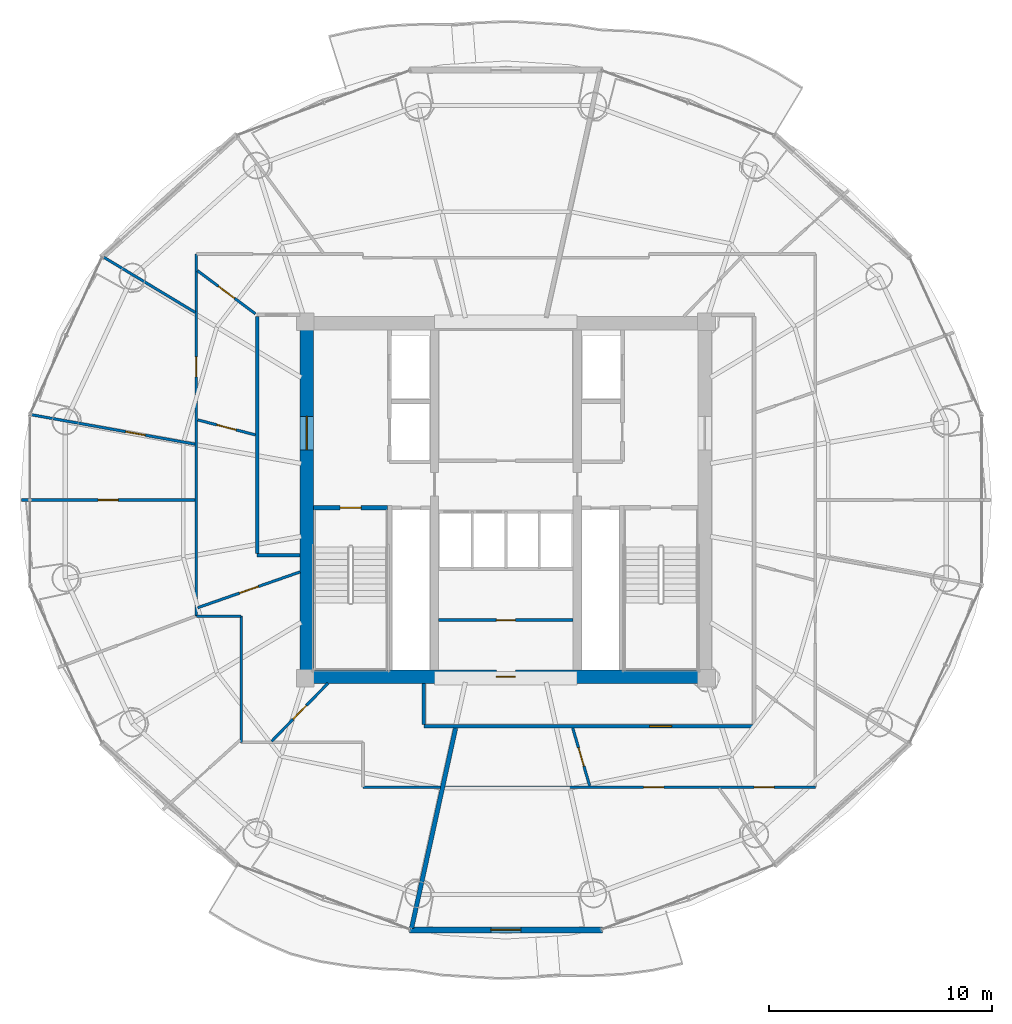
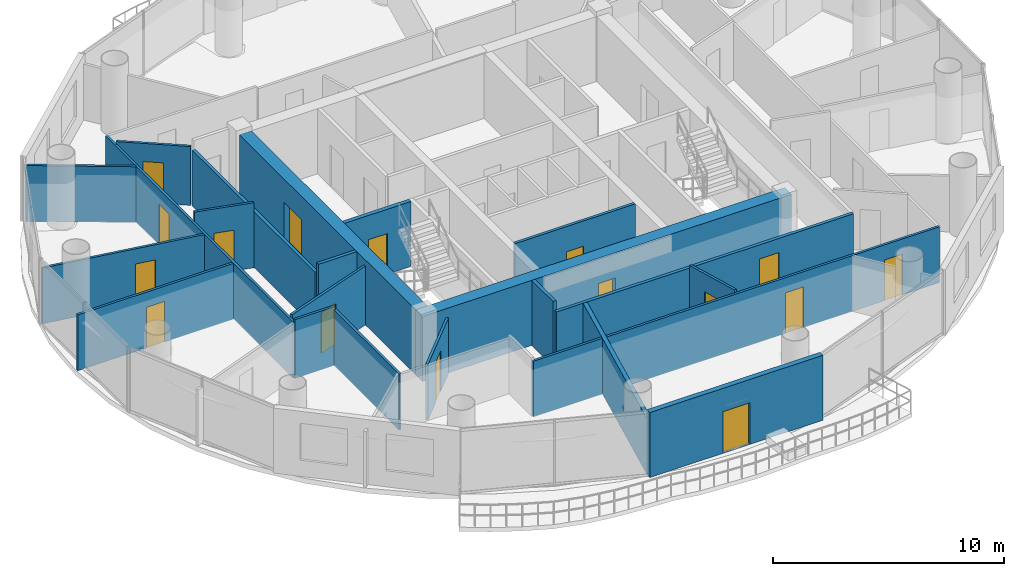
# One storey, part 20 of 26: 23 walls, 16 doors, 16 openings.
"""IFC4 building model written with IfcOpenShell, lengths in metres."""

from ifc_helpers import new_model, si_unit, direction, frame, frame_2d, origin, place, context, subcontext, project, spatial, rectangle, extrude, source, transform, mapped, material, layer, layer_set, type_object, element, fill, save


model = new_model("IFC4")

# Units and contexts
model_context = context("Model", 3, precision=1e-05, world=origin(), true_north=direction((-0.2419218956, 0.970295726276)))
body_context = subcontext(model_context, "Body", "Model", "MODEL_VIEW")
ifc_project = project(units=[si_unit("LENGTHUNIT", "METRE"), si_unit("AREAUNIT", "SQUARE_METRE"), si_unit("VOLUMEUNIT", "CUBIC_METRE"), si_unit("PLANEANGLEUNIT", "RADIAN"), si_unit("MASSUNIT", "GRAM", prefix="KILO")], contexts=[model_context])

# Site, building, storey
site_placement = place(None, origin())
site = spatial("IfcSite", under=ifc_project, at=site_placement, CompositionType="ELEMENT")
building_placement = place(site_placement, origin())
building = spatial("IfcBuilding", under=site, at=building_placement, Name="Cobrevalo Terracotta Tower", CompositionType="ELEMENT")
storey_placement = place(building_placement, frame((0.0, 0.0, 231.89990234375)))
storey = spatial("IfcBuildingStorey", under=building, at=storey_placement, Name="L61", CompositionType="ELEMENT", Elevation=231.89990234375)

# Wall, opening, door
ifc_material_1 = material(Name="Concrete C55", Category="concrete")
ifc_layer_1 = layer(ifc_material_1, 0.60009765625)
ifc_layer_set_1 = layer_set([ifc_layer_1], Name="Concrete C55")
wall_type_1 = type_object("IfcWallType", Name="Core shear wall 600 mm Concrete C55", PredefinedType="SHEAR", material=ifc_layer_set_1)
wall_1_placement = place(storey_placement, frame((28.77490234375, 18.875, 0.0), z_axis=(0.0, 0.0, 1.0), x_axis=(1.0, 0.0, 0.0)))
wall_1 = element("IfcWall", 1, at=wall_1_placement, inside=storey, type_object=wall_type_1, Name="L61 south core shear wall", PredefinedType="SHEAR", context=body_context, shape_type="SweptSolid", body=[
    extrude(rectangle(XDim=18.4501953125, YDim=0.60009765625, at=frame_2d((9.22509765625, 0.0))), origin(), (0.0, 0.0, 1.0), 3.43505859375),
])
opening_1_placement = place(wall_1_placement, frame((8.800048828125, 0.0, 0.0)))
opening_1 = element("IfcOpeningElement", 2, at=opening_1_placement, cuts=wall_1, Name="Opening ID-22", PredefinedType="OPENING", context=body_context, shape_type="SweptSolid", body=[
    extrude(rectangle(XDim=0.85009765625, YDim=2.10009765625, at=frame_2d((0.425048828125, 1.050048828125))), frame((0.0, 0.31005859375, 0.0), z_axis=(0.0, -1.0, 0.0), x_axis=(1.0, 0.0, 0.0)), (0.0, 0.0, 1.0), 0.6201171875),
])
ifc_material_2 = material(Name="Powder-coated steel", Category="steel")
door_type_1 = type_object("IfcDoorType", Name="Riser shaft & meter closet fire access door 850x2100 EI 60", OperationType="NOTDEFINED", PredefinedType="DOOR", material=ifc_material_2)
shared_shape_1 = source(origin(), body_context, "Body", "SweptSolid", [
    extrude(rectangle(XDim=0.85009765625, YDim=2.10009765625, at=frame_2d((0.425048828125, 1.050048828125))), frame((0.0, 0.02490234375, 0.0), z_axis=(0.0, -1.0, 0.0), x_axis=(1.0, 0.0, 0.0)), (0.0, 0.0, 1.0), 0.050048828125),
])
door_1_placement = place(opening_1_placement, origin())
door_1 = element("IfcDoor", 3, at=door_1_placement, inside=storey, type_object=door_type_1, Name="L61 core south plant door Smoke Extract Fan Plant", OperationType="SINGLE_SWING_RIGHT", OverallHeight=2.10009765625, OverallWidth=0.85009765625, PredefinedType="DOOR", context=body_context, shape_type="MappedRepresentation", body=[
    mapped(shared_shape_1, transform((0.0, 0.0, 0.0), scale=1.0)),
])
fill(opening_1, door_1)

wall_2_placement = place(storey_placement, frame((29.074951171875, 19.175048828125, 0.0), z_axis=(0.0, 0.0, 1.0), x_axis=(0.0, 1.0, 0.0)))
wall_2 = element("IfcWall", 4, at=wall_2_placement, inside=storey, type_object=wall_type_1, Name="L61 west core shear wall", PredefinedType="SHEAR", context=body_context, shape_type="SweptSolid", body=[
    extrude(rectangle(XDim=15.25, YDim=0.60009765625, at=frame_2d((7.625, 0.0))), origin(), (0.0, 0.0, 1.0), 3.43505859375),
])
opening_2_placement = place(wall_2_placement, frame((9.875, 0.0, 0.0)))
opening_2 = element("IfcOpeningElement", 5, at=opening_2_placement, cuts=wall_2, Name="Opening ID-14", PredefinedType="OPENING", context=body_context, shape_type="SweptSolid", body=[
    extrude(rectangle(XDim=1.5, YDim=2.199951171875, at=frame_2d((0.75, 1.10009765625))), frame((0.0, 0.31005859375, 0.0), z_axis=(0.0, -1.0, 0.0), x_axis=(1.0, 0.0, 0.0)), (0.0, 0.0, 1.0), 0.6201171875),
])
ifc_material_3 = material(Name="Galvanized fire-rated steel", Category="steel")
door_type_2 = type_object("IfcDoorType", Name="Core cross-lobby double fire door 1500x2200 EI 90", OperationType="NOTDEFINED", PredefinedType="DOOR", material=ifc_material_3)
shared_shape_2 = source(origin(), body_context, "Body", "SweptSolid", [
    extrude(rectangle(XDim=1.5, YDim=2.199951171875, at=frame_2d((0.75, 1.10009765625))), frame((0.0, 0.02490234375, 0.0), z_axis=(0.0, -1.0, 0.0), x_axis=(1.0, 0.0, 0.0)), (0.0, 0.0, 1.0), 0.050048828125),
])
door_2_placement = place(opening_2_placement, origin())
door_2 = element("IfcDoor", 6, at=door_2_placement, inside=storey, type_object=door_type_2, Name="L61 west firefighting lobby entrance door", OperationType="DOUBLE_DOOR_SINGLE_SWING", OverallHeight=2.199951171875, OverallWidth=1.5, PredefinedType="DOOR", context=body_context, shape_type="MappedRepresentation", body=[
    mapped(shared_shape_2, transform((0.0, 0.0, 0.0), scale=1.0)),
])
fill(opening_2, door_2)

# Walls
ifc_material_4 = material(Name="Gypsum board on steel stud", Category="steel")
ifc_layer_2 = layer(ifc_material_4, 0.159912109375)
ifc_layer_set_2 = layer_set([ifc_layer_2], Name="Gypsum board on steel stud")
wall_type_2 = type_object("IfcWallType", Name="Fire-rated corridor acoustic partition wall 160 mm", PredefinedType="PARTITIONING", material=ifc_layer_set_2)
wall_3_placement = place(storey_placement, frame((26.844970703125, 24.39990234375, 0.0), z_axis=(0.0, 0.0, 1.0), x_axis=(0.0, 1.0, 0.0)))
element("IfcWall", 7, at=wall_3_placement, inside=storey, type_object=wall_type_2, Name="L61 interior partition IW-L61-COR-W", PredefinedType="PARTITIONING", context=body_context, shape_type="SweptSolid", body=[
    extrude(rectangle(XDim=10.625, YDim=0.159912109375, at=frame_2d((5.3125, 0.0))), origin(), (0.0, 0.0, 1.0), 2.951171875),
])
wall_4_placement = place(storey_placement, frame((26.844970703125, 24.320068359375, 0.0), z_axis=(0.0, 0.0, 1.0), x_axis=(1.0, 0.0, 0.0)))
element("IfcWall", 8, at=wall_4_placement, inside=storey, type_object=wall_type_2, Name="L61 interior partition IW-L61-COR-WS-CAP", PredefinedType="PARTITIONING", context=body_context, shape_type="SweptSolid", body=[
    extrude(rectangle(XDim=1.929931640625, YDim=0.159912109375, at=frame_2d((0.96484375, 0.0))), origin(), (0.0, 0.0, 1.0), 3.43505859375),
])

# Wall, opening, door
wall_5_placement = place(storey_placement, frame((34.320068359375, 16.64501953125, 0.0), z_axis=(0.0, 0.0, 1.0), x_axis=(1.0, 0.0, 0.0)))
wall_5 = element("IfcWall", 9, at=wall_5_placement, inside=storey, type_object=wall_type_2, Name="L61 interior partition IW-L61-COR-S", PredefinedType="PARTITIONING", context=body_context, shape_type="SweptSolid", body=[
    extrude(rectangle(XDim=14.8349609375, YDim=0.159912109375, at=frame_2d((7.41748046875, 0.0))), origin(), (0.0, 0.0, 1.0), 2.951171875),
])
opening_3_placement = place(wall_5_placement, frame((10.135009765625, 0.0, 0.0)))
opening_3 = element("IfcOpeningElement", 10, at=opening_3_placement, cuts=wall_5, Name="Opening ID-05", PredefinedType="OPENING", context=body_context, shape_type="SweptSolid", body=[
    extrude(rectangle(XDim=0.97998046875, YDim=2.199951171875, at=frame_2d((0.489990234375, 1.10009765625))), frame((0.0, 0.08984375, 0.0), z_axis=(0.0, -1.0, 0.0), x_axis=(1.0, 0.0, 0.0)), (0.0, 0.0, 1.0), 0.179931640625),
])
ifc_material_5 = material(Name="Solid hardwood timber", Category="wood")
door_type_3 = type_object("IfcDoorType", Name="Residence entrance fire-rated acoustic timber door 980x2200 EI 60", OperationType="NOTDEFINED", PredefinedType="DOOR", material=ifc_material_5)
shared_shape_3 = source(origin(), body_context, "Body", "SweptSolid", [
    extrude(rectangle(XDim=0.97998046875, YDim=2.199951171875, at=frame_2d((0.489990234375, 1.10009765625))), frame((0.0, 0.02490234375, 0.0), z_axis=(0.0, -1.0, 0.0), x_axis=(1.0, 0.0, 0.0)), (0.0, 0.0, 1.0), 0.050048828125),
])
door_3_placement = place(opening_3_placement, frame((0.97998046875, 0.0, 0.0), z_axis=(0.0, 0.0, 1.0), x_axis=(-1.0, 0.0, 0.0)))
door_3 = element("IfcDoor", 11, at=door_3_placement, inside=storey, type_object=door_type_3, Name="Flat L61B fire-rated apartment entrance door", OperationType="SINGLE_SWING_LEFT", OverallHeight=2.199951171875, OverallWidth=0.97998046875, PredefinedType="DOOR", context=body_context, shape_type="MappedRepresentation", body=[
    mapped(shared_shape_3, transform((0.0, 0.0, 0.0), scale=1.0)),
])
fill(opening_3, door_3)

# Walls
wall_6_placement = place(storey_placement, frame((34.320068359375, 16.72509765625, 0.0), z_axis=(0.0, 0.0, 1.0), x_axis=(0.0, 1.0, 0.0)))
element("IfcWall", 12, at=wall_6_placement, inside=storey, type_object=wall_type_2, Name="L61 interior partition IW-L61-COR-SW-CAP", PredefinedType="PARTITIONING", context=body_context, shape_type="SweptSolid", body=[
    extrude(rectangle(XDim=1.849853515625, YDim=0.159912109375, at=frame_2d((0.9248046875, 0.0))), origin(), (0.0, 0.0, 1.0), 3.43505859375),
])
ifc_material_6 = material(Name="Autoclaved aerated concrete block", Category="concrete")
ifc_layer_3 = layer(ifc_material_6, 0.199951171875)
ifc_layer_set_3 = layer_set([ifc_layer_3], Name="Autoclaved aerated concrete block")
wall_type_3 = type_object("IfcWallType", Name="Fire-rated stair, shaft & demising masonry wall 200 mm", PredefinedType="PARTITIONING", material=ifc_layer_set_3)
wall_7_placement = place(storey_placement, frame((35.7470703125, 16.56494140625, 0.0), z_axis=(0.0, 0.0, 1.0), x_axis=(-0.214957946814, -0.976623305631, 0.0)))
element("IfcWall", 13, at=wall_7_placement, inside=storey, type_object=wall_type_3, Name="L61 interior partition IW-L61-DEM-2", PredefinedType="PARTITIONING", context=body_context, shape_type="SweptSolid", body=[
    extrude(rectangle(XDim=9.201904296875, YDim=0.199951171875, at=frame_2d((4.60107421875, 0.0))), origin(), (0.0, 0.0, 1.0), 2.951171875),
])

# Wall, opening, door
ifc_layer_4 = layer(ifc_material_6, 0.139892578125)
ifc_layer_set_4 = layer_set([ifc_layer_4], Name="Autoclaved aerated concrete block")
wall_type_4 = type_object("IfcWallType", Name="Moisture-resistant wet-room & core service partition 140 mm", PredefinedType="PARTITIONING", material=ifc_layer_set_4)
wall_8_placement = place(storey_placement, frame((34.989990234375, 21.407470703125, 0.0), z_axis=(0.0, 0.0, 1.0), x_axis=(1.0, 0.0, 0.0)))
wall_8 = element("IfcWall", 14, at=wall_8_placement, inside=storey, type_object=wall_type_4, Name="L61 interior partition IW-L61-KVS-H", PredefinedType="PARTITIONING", context=body_context, shape_type="SweptSolid", body=[
    extrude(rectangle(XDim=6.02001953125, YDim=0.139892578125, at=frame_2d((3.010009765625, 0.0))), origin(), (0.0, 0.0, 1.0), 3.43505859375),
])
opening_4_placement = place(wall_8_placement, frame((2.5849609375, 0.0, 0.0)))
opening_4 = element("IfcOpeningElement", 15, at=opening_4_placement, cuts=wall_8, Name="Opening ID-22", PredefinedType="OPENING", context=body_context, shape_type="SweptSolid", body=[
    extrude(rectangle(XDim=0.85009765625, YDim=2.10009765625, at=frame_2d((0.425048828125, 1.050048828125))), frame((0.0, 0.080078125, 0.0), z_axis=(0.0, -1.0, 0.0), x_axis=(1.0, 0.0, 0.0)), (0.0, 0.0, 1.0), 0.159912109375),
])
door_4_placement = place(opening_4_placement, origin())
door_4 = element("IfcDoor", 16, at=door_4_placement, inside=storey, type_object=door_type_1, Name="L61 core manifold inner door", OperationType="SINGLE_SWING_LEFT", OverallHeight=2.10009765625, OverallWidth=0.85009765625, PredefinedType="DOOR", context=body_context, shape_type="MappedRepresentation", body=[
    mapped(shared_shape_1, transform((0.0, 0.0, 0.0), scale=1.0)),
])
fill(opening_4, door_4)

ifc_layer_5 = layer(ifc_material_6, 0.260009765625)
ifc_layer_set_5 = layer_set([ifc_layer_5], Name="Autoclaved aerated concrete block")
wall_type_5 = type_object("IfcWallType", Name="Recessed balcony loggia insulated exterior wall 260 mm", PredefinedType="SOLIDWALL", material=ifc_layer_set_5)
wall_9_placement = place(storey_placement, frame((33.6728515625, 7.508056640625, 0.0), z_axis=(0.0, 0.0, 1.0), x_axis=(1.0, 0.0, 0.0)))
wall_9 = element("IfcWall", 17, at=wall_9_placement, inside=storey, type_object=wall_type_5, Name="L61 balcony loggia wall S12", PredefinedType="SOLIDWALL", context=body_context, shape_type="SweptSolid", body=[
    extrude(rectangle(XDim=8.654296875, YDim=0.260009765625, at=frame_2d((4.3271484375, 0.0))), origin(), (0.0, 0.0, 1.0), 3.43505859375),
])
opening_5_placement = place(wall_9_placement, frame((3.652099609375, 0.0, 0.0)))
opening_5 = element("IfcOpeningElement", 18, at=opening_5_placement, cuts=wall_9, Name="Opening ED-05", PredefinedType="OPENING", context=body_context, shape_type="SweptSolid", body=[
    extrude(rectangle(XDim=1.35009765625, YDim=2.199951171875, at=frame_2d((0.675048828125, 1.10009765625))), frame((0.0, 0.14013671875, 0.0), z_axis=(0.0, -1.0, 0.0), x_axis=(1.0, 0.0, 0.0)), (0.0, 0.0, 1.0), 0.280029296875),
])
ifc_material_7 = material(Name="Anodized aluminium and laminated glass", Category="aluminium")
door_type_4 = type_object("IfcDoorType", Name="Suite balcony acoustic glazed terrace door 1350x2200", OperationType="NOTDEFINED", PredefinedType="DOOR", material=ifc_material_7)
shared_shape_4 = source(origin(), body_context, "Body", "SweptSolid", [
    extrude(rectangle(XDim=1.35009765625, YDim=2.199951171875, at=frame_2d((0.675048828125, 1.10009765625))), frame((0.0, 0.02490234375, 0.0), z_axis=(0.0, -1.0, 0.0), x_axis=(1.0, 0.0, 0.0)), (0.0, 0.0, 1.0), 0.050048828125),
])
door_5_placement = place(opening_5_placement, frame((1.35009765625, 0.0, 0.0), z_axis=(0.0, 0.0, 1.0), x_axis=(-1.0, 0.0, 0.0)))
door_5 = element("IfcDoor", 19, at=door_5_placement, inside=storey, type_object=door_type_4, Name="L61 glazed balcony terrace door 2", OperationType="SINGLE_SWING_RIGHT", OverallHeight=2.199951171875, OverallWidth=1.35009765625, PredefinedType="DOOR", context=body_context, shape_type="MappedRepresentation", body=[
    mapped(shared_shape_4, transform((0.0, 0.0, 0.0), scale=1.0)),
])
fill(opening_5, door_5)

# Walls
ifc_layer_6 = layer(ifc_material_4, 0.1201171875)
ifc_layer_set_6 = layer_set([ifc_layer_6], Name="Gypsum board on steel stud")
wall_type_6 = type_object("IfcWallType", Name="Residential internal acoustic stud partition 120 mm", PredefinedType="PARTITIONING", material=ifc_layer_set_6)
wall_10_placement = place(storey_placement, frame((35.061767578125, 13.9150390625, 0.0), z_axis=(0.0, 0.0, 1.0), x_axis=(-1.0, 0.0, 0.0)))
element("IfcWall", 20, at=wall_10_placement, inside=storey, type_object=wall_type_6, Name="L61 interior partition IW-L61-U1-RING0_0", PredefinedType="PARTITIONING", context=body_context, shape_type="SweptSolid", body=[
    extrude(rectangle(XDim=3.4716796875, YDim=0.1201171875, at=frame_2d((1.73583984375, 0.0))), origin(), (0.0, 0.0, 1.0), 2.951171875),
])
wall_11_placement = place(storey_placement, frame((26.125, 15.925048828125, 0.0), z_axis=(0.0, 0.0, 1.0), x_axis=(0.0, 1.0, 0.0)))
element("IfcWall", 21, at=wall_11_placement, inside=storey, type_object=wall_type_6, Name="L61 interior partition IW-L61-U1-RING3_0", PredefinedType="PARTITIONING", context=body_context, shape_type="SweptSolid", body=[
    extrude(rectangle(XDim=5.6650390625, YDim=0.1201171875, at=frame_2d((2.83251953125, 0.0))), origin(), (0.0, 0.0, 1.0), 2.951171875),
])
wall_12_placement = place(storey_placement, frame((26.125, 21.590087890625, 0.0), z_axis=(0.0, 0.0, 1.0), x_axis=(-1.0, 0.0, 0.0)))
element("IfcWall", 22, at=wall_12_placement, inside=storey, type_object=wall_type_6, Name="L61 interior partition IW-L61-U1-RING4_0", PredefinedType="PARTITIONING", context=body_context, shape_type="SweptSolid", body=[
    extrude(rectangle(XDim=2.010009765625, YDim=0.1201171875, at=frame_2d((1.0048828125, 0.0))), origin(), (0.0, 0.0, 1.0), 3.110107421875),
])

# Wall, opening, door
wall_13_placement = place(storey_placement, frame((24.114990234375, 21.590087890625, 0.0), z_axis=(0.0, 0.0, 1.0), x_axis=(0.0, 1.0, 0.0)))
wall_13 = element("IfcWall", 23, at=wall_13_placement, inside=storey, type_object=wall_type_6, Name="L61 interior partition IW-L61-U1-RING5_0", PredefinedType="PARTITIONING", context=body_context, shape_type="SweptSolid", body=[
    extrude(rectangle(XDim=16.244873046875, YDim=0.1201171875, at=frame_2d((8.12255859375, 0.0))), origin(), (0.0, 0.0, 1.0), 2.951171875),
])
opening_6_placement = place(wall_13_placement, frame((10.73291015625, 0.0, 0.0)))
opening_6 = element("IfcOpeningElement", 24, at=opening_6_placement, cuts=wall_13, Name="Opening ID-12", PredefinedType="OPENING", context=body_context, shape_type="SweptSolid", body=[
    extrude(rectangle(XDim=0.89990234375, YDim=2.14990234375, at=frame_2d((0.449951171875, 1.074951171875))), frame((0.0, 0.070068359375, 0.0), z_axis=(0.0, -1.0, 0.0), x_axis=(1.0, 0.0, 0.0)), (0.0, 0.0, 1.0), 0.14013671875),
])
ifc_material_8 = material(Name="Engineered timber", Category="wood")
door_type_5 = type_object("IfcDoorType", Name="Internal residence & suite timber door 900x2150", OperationType="NOTDEFINED", PredefinedType="DOOR", material=ifc_material_8)
shared_shape_5 = source(origin(), body_context, "Body", "SweptSolid", [
    extrude(rectangle(XDim=0.89990234375, YDim=2.14990234375, at=frame_2d((0.449951171875, 1.074951171875))), frame((0.0, 0.02490234375, 0.0), z_axis=(0.0, -1.0, 0.0), x_axis=(1.0, 0.0, 0.0)), (0.0, 0.0, 1.0), 0.050048828125),
])
door_6_placement = place(opening_6_placement, origin())
door_6 = element("IfcDoor", 25, at=door_6_placement, inside=storey, type_object=door_type_5, Name="Flat L61A Principal Guest Bedroom internal door", OperationType="SINGLE_SWING_RIGHT", OverallHeight=2.14990234375, OverallWidth=0.89990234375, PredefinedType="DOOR", context=body_context, shape_type="MappedRepresentation", body=[
    mapped(shared_shape_5, transform((0.0, 0.0, 0.0), scale=1.0)),
])
fill(opening_6, door_6)

# Wall
wall_14_placement = place(storey_placement, frame((24.06201171875, 35.216064453125, 0.0), z_axis=(0.0, 0.0, 1.0), x_axis=(-0.856058483833, 0.516878972543, 0.0)))
element("IfcWall", 26, at=wall_14_placement, inside=storey, type_object=wall_type_6, Name="L61 interior partition IW-L61-U1-ORAD2", PredefinedType="PARTITIONING", context=body_context, shape_type="SweptSolid", body=[
    extrude(rectangle(XDim=4.78662109375, YDim=0.1201171875, at=frame_2d((2.393310546875, 0.0))), origin(), (0.0, 0.0, 1.0), 2.951171875),
])

# Wall, opening, door
wall_15_placement = place(storey_placement, frame((24.053955078125, 29.306884765625, 0.0), z_axis=(0.0, 0.0, 1.0), x_axis=(-0.984227185588, 0.176909149424, 0.0)))
wall_15 = element("IfcWall", 27, at=wall_15_placement, inside=storey, type_object=wall_type_6, Name="L61 interior partition IW-L61-U1-ORAD3", PredefinedType="PARTITIONING", context=body_context, shape_type="SweptSolid", body=[
    extrude(rectangle(XDim=7.447998046875, YDim=0.1201171875, at=frame_2d((3.72412109375, 0.0))), origin(), (0.0, 0.0, 1.0), 2.951171875),
])
opening_7_placement = place(wall_15_placement, frame((2.263916015625, 0.0, 0.0)))
opening_7 = element("IfcOpeningElement", 28, at=opening_7_placement, cuts=wall_15, Name="Opening ID-12", PredefinedType="OPENING", context=body_context, shape_type="SweptSolid", body=[
    extrude(rectangle(XDim=0.89990234375, YDim=2.14990234375, at=frame_2d((0.449951171875, 1.074951171875))), frame((0.0, 0.070068359375, 0.0), z_axis=(0.0, -1.0, 0.0), x_axis=(1.0, 0.0, 0.0)), (0.0, 0.0, 1.0), 0.14013671875),
])
door_7_placement = place(opening_7_placement, origin())
door_7 = element("IfcDoor", 29, at=door_7_placement, inside=storey, type_object=door_type_5, Name="Flat L61A North Bedroom internal door", OperationType="SINGLE_SWING_LEFT", OverallHeight=2.14990234375, OverallWidth=0.89990234375, PredefinedType="DOOR", context=body_context, shape_type="MappedRepresentation", body=[
    mapped(shared_shape_5, transform((0.0, 0.0, 0.0), scale=1.0)),
])
fill(opening_7, door_7)

wall_16_placement = place(storey_placement, frame((24.052978515625, 26.800048828125, 0.0), z_axis=(0.0, 0.0, 1.0), x_axis=(-1.0, 0.0, 0.0)))
wall_16 = element("IfcWall", 30, at=wall_16_placement, inside=storey, type_object=wall_type_6, Name="L61 interior partition IW-L61-U1-ORAD4M1", PredefinedType="PARTITIONING", context=body_context, shape_type="SweptSolid", body=[
    extrude(rectangle(XDim=7.79296875, YDim=0.1201171875, at=frame_2d((3.896484375, 0.0))), origin(), (0.0, 0.0, 1.0), 2.951171875),
])
opening_8_placement = place(wall_16_placement, frame((3.446533203125, 0.0, 0.0)))
opening_8 = element("IfcOpeningElement", 31, at=opening_8_placement, cuts=wall_16, Name="Opening ID-12", PredefinedType="OPENING", context=body_context, shape_type="SweptSolid", body=[
    extrude(rectangle(XDim=0.89990234375, YDim=2.14990234375, at=frame_2d((0.449951171875, 1.074951171875))), frame((0.0, 0.070068359375, 0.0), z_axis=(0.0, -1.0, 0.0), x_axis=(1.0, 0.0, 0.0)), (0.0, 0.0, 1.0), 0.14013671875),
])
door_8_placement = place(opening_8_placement, origin())
door_8 = element("IfcDoor", 32, at=door_8_placement, inside=storey, type_object=door_type_5, Name="Flat L61A Principal Guest Bedroom internal door", OperationType="SINGLE_SWING_RIGHT", OverallHeight=2.14990234375, OverallWidth=0.89990234375, PredefinedType="DOOR", context=body_context, shape_type="MappedRepresentation", body=[
    mapped(shared_shape_5, transform((0.0, 0.0, 0.0), scale=1.0)),
])
fill(opening_8, door_8)

wall_17_placement = place(storey_placement, frame((26.764892578125, 35.154296875, 0.0), z_axis=(0.0, 0.0, 1.0), x_axis=(-0.802434587752, 0.596740087793, 0.0)))
wall_17 = element("IfcWall", 33, at=wall_17_placement, inside=storey, type_object=wall_type_6, Name="L61 interior partition IW-L61-U1-IRAD2", PredefinedType="PARTITIONING", context=body_context, shape_type="SweptSolid", body=[
    extrude(rectangle(XDim=3.240234375, YDim=0.1201171875, at=frame_2d((1.6201171875, 0.0))), origin(), (0.0, 0.0, 1.0), 3.110107421875),
])
opening_9_placement = place(wall_17_placement, frame((1.170166015625, 0.0, 0.0)))
opening_9 = element("IfcOpeningElement", 34, at=opening_9_placement, cuts=wall_17, Name="Opening ID-12", PredefinedType="OPENING", context=body_context, shape_type="SweptSolid", body=[
    extrude(rectangle(XDim=0.89990234375, YDim=2.14990234375, at=frame_2d((0.449951171875, 1.074951171875))), frame((0.0, 0.070068359375, 0.0), z_axis=(0.0, -1.0, 0.0), x_axis=(1.0, 0.0, 0.0)), (0.0, 0.0, 1.0), 0.14013671875),
])
door_9_placement = place(opening_9_placement, origin())
door_9 = element("IfcDoor", 35, at=door_9_placement, inside=storey, type_object=door_type_5, Name="Flat L61A Kitchen internal door", OperationType="SINGLE_SWING_LEFT", OverallHeight=2.14990234375, OverallWidth=0.89990234375, PredefinedType="DOOR", context=body_context, shape_type="MappedRepresentation", body=[
    mapped(shared_shape_5, transform((0.0, 0.0, 0.0), scale=1.0)),
])
fill(opening_9, door_9)

wall_18_placement = place(storey_placement, frame((26.764892578125, 29.720947265625, 0.0), z_axis=(0.0, 0.0, 1.0), x_axis=(-0.967824284298, 0.251627015092, 0.0)))
wall_18 = element("IfcWall", 36, at=wall_18_placement, inside=storey, type_object=wall_type_6, Name="L61 interior partition IW-L61-U1-IRAD3", PredefinedType="PARTITIONING", context=body_context, shape_type="SweptSolid", body=[
    extrude(rectangle(XDim=2.676025390625, YDim=0.1201171875, at=frame_2d((1.337890625, 0.0))), origin(), (0.0, 0.0, 1.0), 3.43505859375),
])
opening_10_placement = place(wall_18_placement, frame((0.887939453125, 0.0, 0.0)))
opening_10 = element("IfcOpeningElement", 37, at=opening_10_placement, cuts=wall_18, Name="Opening ID-12", PredefinedType="OPENING", context=body_context, shape_type="SweptSolid", body=[
    extrude(rectangle(XDim=0.89990234375, YDim=2.14990234375, at=frame_2d((0.449951171875, 1.074951171875))), frame((0.0, 0.070068359375, 0.0), z_axis=(0.0, -1.0, 0.0), x_axis=(1.0, 0.0, 0.0)), (0.0, 0.0, 1.0), 0.14013671875),
])
door_10_placement = place(opening_10_placement, origin())
door_10 = element("IfcDoor", 38, at=door_10_placement, inside=storey, type_object=door_type_5, Name="Flat L61A Home Office Study internal door", OperationType="SINGLE_SWING_RIGHT", OverallHeight=2.14990234375, OverallWidth=0.89990234375, PredefinedType="DOOR", context=body_context, shape_type="MappedRepresentation", body=[
    mapped(shared_shape_5, transform((0.0, 0.0, 0.0), scale=1.0)),
])
fill(opening_10, door_10)

wall_19_placement = place(storey_placement, frame((28.77490234375, 23.574951171875, 0.0), z_axis=(0.0, 0.0, 1.0), x_axis=(-0.943974645063, -0.330017983569, 0.0)))
wall_19 = element("IfcWall", 39, at=wall_19_placement, inside=storey, type_object=wall_type_6, Name="L61 interior partition IW-L61-U1-IRAD4", PredefinedType="PARTITIONING", context=body_context, shape_type="SweptSolid", body=[
    extrude(rectangle(XDim=4.87451171875, YDim=0.1201171875, at=frame_2d((2.437255859375, 0.0))), origin(), (0.0, 0.0, 1.0), 3.110107421875),
])
opening_11_placement = place(wall_19_placement, frame((1.9873046875, 0.0, 0.0)))
opening_11 = element("IfcOpeningElement", 40, at=opening_11_placement, cuts=wall_19, Name="Opening ID-12", PredefinedType="OPENING", context=body_context, shape_type="SweptSolid", body=[
    extrude(rectangle(XDim=0.89990234375, YDim=2.14990234375, at=frame_2d((0.449951171875, 1.074951171875))), frame((0.0, 0.070068359375, 0.0), z_axis=(0.0, -1.0, 0.0), x_axis=(1.0, 0.0, 0.0)), (0.0, 0.0, 1.0), 0.14013671875),
])
door_11_placement = place(opening_11_placement, origin())
door_11 = element("IfcDoor", 41, at=door_11_placement, inside=storey, type_object=door_type_5, Name="Flat L61A Utility Closet internal door", OperationType="SINGLE_SWING_LEFT", OverallHeight=2.14990234375, OverallWidth=0.89990234375, PredefinedType="DOOR", context=body_context, shape_type="MappedRepresentation", body=[
    mapped(shared_shape_5, transform((0.0, 0.0, 0.0), scale=1.0)),
])
fill(opening_11, door_11)

wall_20_placement = place(storey_placement, frame((30.01806640625, 18.574951171875, 0.0), z_axis=(0.0, 0.0, 1.0), x_axis=(-0.696436677683, -0.717618250867, 0.0)))
wall_20 = element("IfcWall", 42, at=wall_20_placement, inside=storey, type_object=wall_type_6, Name="L61 interior partition IW-L61-U1-IRAD5", PredefinedType="PARTITIONING", context=body_context, shape_type="SweptSolid", body=[
    extrude(rectangle(XDim=3.630615234375, YDim=0.1201171875, at=frame_2d((1.8154296875, 0.0))), origin(), (0.0, 0.0, 1.0), 2.951171875),
])
opening_12_placement = place(wall_20_placement, frame((1.385498046875, 0.0, 0.0)))
opening_12 = element("IfcOpeningElement", 43, at=opening_12_placement, cuts=wall_20, Name="Opening ID-19", PredefinedType="OPENING", context=body_context, shape_type="SweptSolid", body=[
    extrude(rectangle(XDim=0.860107421875, YDim=2.14990234375, at=frame_2d((0.43017578125, 1.074951171875))), frame((0.0, 0.070068359375, 0.0), z_axis=(0.0, -1.0, 0.0), x_axis=(1.0, 0.0, 0.0)), (0.0, 0.0, 1.0), 0.14013671875),
])
ifc_material_9 = material(Name="Moisture-sealed timber", Category="wood")
door_type_6 = type_object("IfcDoorType", Name="Suite bathroom internal timber door 860x2150", OperationType="NOTDEFINED", PredefinedType="DOOR", material=ifc_material_9)
shared_shape_6 = source(origin(), body_context, "Body", "SweptSolid", [
    extrude(rectangle(XDim=0.860107421875, YDim=2.14990234375, at=frame_2d((0.43017578125, 1.074951171875))), frame((0.0, 0.02490234375, 0.0), z_axis=(0.0, -1.0, 0.0), x_axis=(1.0, 0.0, 0.0)), (0.0, 0.0, 1.0), 0.050048828125),
])
door_12_placement = place(opening_12_placement, origin())
door_12 = element("IfcDoor", 44, at=door_12_placement, inside=storey, type_object=door_type_6, Name="Flat L61A Guest Bathroom internal door", OperationType="SINGLE_SWING_RIGHT", OverallHeight=2.14990234375, OverallWidth=0.860107421875, PredefinedType="DOOR", context=body_context, shape_type="MappedRepresentation", body=[
    mapped(shared_shape_6, transform((0.0, 0.0, 0.0), scale=1.0)),
])
fill(opening_12, door_12)

# Wall, openings, doors
wall_21_placement = place(storey_placement, frame((51.885009765625, 13.9150390625, 0.0), z_axis=(0.0, 0.0, 1.0), x_axis=(-1.0, 0.0, 0.0)))
wall_21 = element("IfcWall", 45, at=wall_21_placement, inside=storey, type_object=wall_type_6, Name="L61 interior partition IW-L61-U2-RING4_0", PredefinedType="PARTITIONING", context=body_context, shape_type="SweptSolid", body=[
    extrude(rectangle(XDim=16.619140625, YDim=0.1201171875, at=frame_2d((8.3095703125, 0.0))), origin(), (0.0, 0.0, 1.0), 2.951171875),
])
opening_13_placement = place(wall_21_placement, frame((6.796875, 0.0, 0.0)))
opening_13 = element("IfcOpeningElement", 46, at=opening_13_placement, cuts=wall_21, Name="Opening ID-12", PredefinedType="OPENING", context=body_context, shape_type="SweptSolid", body=[
    extrude(rectangle(XDim=0.89990234375, YDim=2.14990234375, at=frame_2d((0.449951171875, 1.074951171875))), frame((0.0, 0.070068359375, 0.0), z_axis=(0.0, -1.0, 0.0), x_axis=(1.0, 0.0, 0.0)), (0.0, 0.0, 1.0), 0.14013671875),
])
opening_14_placement = place(wall_21_placement, frame((1.8486328125, 0.0, 0.0)))
opening_14 = element("IfcOpeningElement", 47, at=opening_14_placement, cuts=wall_21, Name="Opening ID-12", PredefinedType="OPENING", context=body_context, shape_type="SweptSolid", body=[
    extrude(rectangle(XDim=0.89990234375, YDim=2.14990234375, at=frame_2d((0.449951171875, 1.074951171875))), frame((0.0, 0.070068359375, 0.0), z_axis=(0.0, -1.0, 0.0), x_axis=(1.0, 0.0, 0.0)), (0.0, 0.0, 1.0), 0.14013671875),
])
door_13_placement = place(opening_13_placement, origin())
door_13 = element("IfcDoor", 48, at=door_13_placement, inside=storey, type_object=door_type_5, Name="Flat L61B Living and Dining Room internal door", OperationType="SINGLE_SWING_LEFT", OverallHeight=2.14990234375, OverallWidth=0.89990234375, PredefinedType="DOOR", context=body_context, shape_type="MappedRepresentation", body=[
    mapped(shared_shape_5, transform((0.0, 0.0, 0.0), scale=1.0)),
])
fill(opening_13, door_13)
door_14_placement = place(opening_14_placement, frame((0.89990234375, 0.0, 0.0), z_axis=(0.0, 0.0, 1.0), x_axis=(-1.0, 0.0, 0.0)))
door_14 = element("IfcDoor", 49, at=door_14_placement, inside=storey, type_object=door_type_5, Name="Flat L61B Master Bedroom internal door", OperationType="SINGLE_SWING_RIGHT", OverallHeight=2.14990234375, OverallWidth=0.89990234375, PredefinedType="DOOR", context=body_context, shape_type="MappedRepresentation", body=[
    mapped(shared_shape_5, transform((0.0, 0.0, 0.0), scale=1.0)),
])
fill(opening_14, door_14)

# Wall, opening, door
wall_22_placement = place(storey_placement, frame((41.0029296875, 16.56494140625, 0.0), z_axis=(0.0, 0.0, 1.0), x_axis=(0.281617901256, -0.959526632091, 0.0)))
wall_22 = element("IfcWall", 50, at=wall_22_placement, inside=storey, type_object=wall_type_6, Name="L61 interior partition IW-L61-U2-IRAD1", PredefinedType="PARTITIONING", context=body_context, shape_type="SweptSolid", body=[
    extrude(rectangle(XDim=2.69970703125, YDim=0.1201171875, at=frame_2d((1.349853515625, 0.0))), origin(), (0.0, 0.0, 1.0), 3.110107421875),
])
opening_15_placement = place(wall_22_placement, frame((0.919921875, 0.0, 0.0)))
opening_15 = element("IfcOpeningElement", 51, at=opening_15_placement, cuts=wall_22, Name="Opening ID-19", PredefinedType="OPENING", context=body_context, shape_type="SweptSolid", body=[
    extrude(rectangle(XDim=0.860107421875, YDim=2.14990234375, at=frame_2d((0.43017578125, 1.074951171875))), frame((0.0, 0.070068359375, 0.0), z_axis=(0.0, -1.0, 0.0), x_axis=(1.0, 0.0, 0.0)), (0.0, 0.0, 1.0), 0.14013671875),
])
door_15_placement = place(opening_15_placement, frame((0.860107421875, 0.0, 0.0), z_axis=(0.0, 0.0, 1.0), x_axis=(-1.0, 0.0, 0.0)))
door_15 = element("IfcDoor", 52, at=door_15_placement, inside=storey, type_object=door_type_6, Name="Flat L61B Primary Bathroom internal door", OperationType="SINGLE_SWING_RIGHT", OverallHeight=2.14990234375, OverallWidth=0.860107421875, PredefinedType="DOOR", context=body_context, shape_type="MappedRepresentation", body=[
    mapped(shared_shape_6, transform((0.0, 0.0, 0.0), scale=1.0)),
])
fill(opening_15, door_15)

ifc_material_10 = material(Name="Concrete C50", Category="concrete")
ifc_layer_7 = layer(ifc_material_10, 0.199951171875)
ifc_layer_set_7 = layer_set([ifc_layer_7], Name="Concrete C50")
wall_type_7 = type_object("IfcWallType", Name="Structural core & podium stair-shaft RC wall 200 mm Concrete C50", PredefinedType="SOLIDWALL", material=ifc_layer_set_7)
wall_23_placement = place(storey_placement, frame((29.375, 26.449951171875, 0.0), z_axis=(0.0, 0.0, 1.0), x_axis=(1.0, 0.0, 0.0)))
wall_23 = element("IfcWall", 53, at=wall_23_placement, inside=storey, type_object=wall_type_7, Name="L61 ST-1 north structural shaft wall", PredefinedType="SOLIDWALL", context=body_context, shape_type="SweptSolid", body=[
    extrude(rectangle(XDim=3.320068359375, YDim=0.199951171875, at=frame_2d((1.66015625, 0.0))), origin(), (0.0, 0.0, 1.0), 3.43505859375),
])
opening_16_placement = place(wall_23_placement, frame((1.18505859375, 0.0, 0.0)))
opening_16 = element("IfcOpeningElement", 54, at=opening_16_placement, cuts=wall_23, Name="Opening ID-04", PredefinedType="OPENING", context=body_context, shape_type="SweptSolid", body=[
    extrude(rectangle(XDim=0.949951171875, YDim=2.14990234375, at=frame_2d((0.47509765625, 1.074951171875))), frame((0.0, 0.10986328125, 0.0), z_axis=(0.0, -1.0, 0.0), x_axis=(1.0, 0.0, 0.0)), (0.0, 0.0, 1.0), 0.219970703125),
])
door_type_7 = type_object("IfcDoorType", Name="Stair & firefighting lobby fire door 950x2150 EI 90", OperationType="NOTDEFINED", PredefinedType="DOOR", material=ifc_material_3)
shared_shape_7 = source(origin(), body_context, "Body", "SweptSolid", [
    extrude(rectangle(XDim=0.949951171875, YDim=2.14990234375, at=frame_2d((0.47509765625, 1.074951171875))), frame((0.0, 0.02490234375, 0.0), z_axis=(0.0, -1.0, 0.0), x_axis=(1.0, 0.0, 0.0)), (0.0, 0.0, 1.0), 0.050048828125),
])
door_16_placement = place(opening_16_placement, origin())
door_16 = element("IfcDoor", 55, at=door_16_placement, inside=storey, type_object=door_type_7, Name="L61 protected stair ST1 fire door", OperationType="SINGLE_SWING_LEFT", OverallHeight=2.14990234375, OverallWidth=0.949951171875, PredefinedType="DOOR", context=body_context, shape_type="MappedRepresentation", body=[
    mapped(shared_shape_7, transform((0.0, 0.0, 0.0), scale=1.0)),
])
fill(opening_16, door_16)

save(model, "model.ifc")
